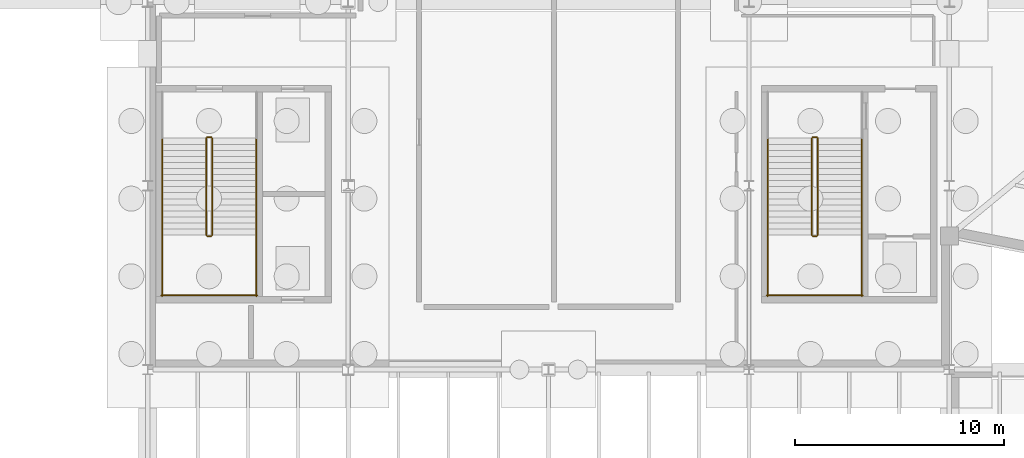
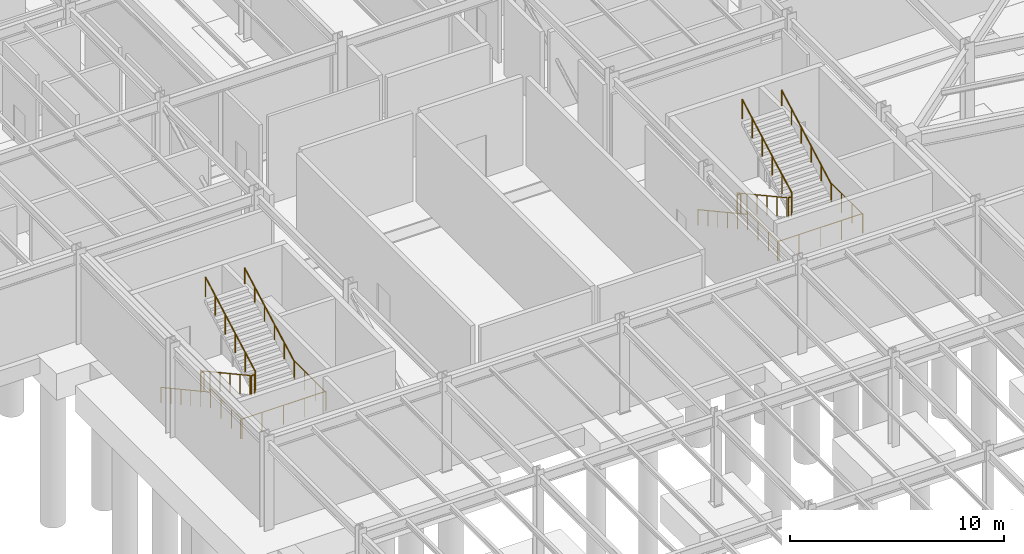
# One storey, part 42 of 48: 18 railings.
"""IFC4 building model written with IfcOpenShell, lengths in metres."""

from ifc_helpers import new_model, si_unit, direction, frame, origin, origin_2d, place, context, subcontext, project, spatial, circle, extrude, material, layer, layer_set, type_object, element, save


model = new_model("IFC4")

# Units and contexts
model_context = context("Model", 3, precision=1e-05, world=origin(), true_north=direction((0.0, 1.0)))
body_context = subcontext(model_context, "Body", "Model", "MODEL_VIEW")
ifc_project = project(units=[si_unit("LENGTHUNIT", "METRE"), si_unit("AREAUNIT", "SQUARE_METRE"), si_unit("VOLUMEUNIT", "CUBIC_METRE"), si_unit("PLANEANGLEUNIT", "RADIAN"), si_unit("MASSUNIT", "GRAM", prefix="KILO")], contexts=[model_context])

# Site, building, storey
site_placement = place(None, origin())
site = spatial("IfcSite", under=ifc_project, at=site_placement, CompositionType="ELEMENT")
building_placement = place(site_placement, origin())
building = spatial("IfcBuilding", under=site, at=building_placement, Name="Sarnbrook Museum", CompositionType="ELEMENT")
storey_placement = place(building_placement, frame((0.0, 0.0, -5.39990234375)))
storey = spatial("IfcBuildingStorey", under=building, at=storey_placement, Name="B1", CompositionType="ELEMENT", Elevation=-5.39990234375)

# Railings
ifc_material = material(Name="Brushed Stainless Steel Grade 316", Category="steel")
ifc_layer_1 = layer(ifc_material, 0.050048828125)
ifc_layer_set_1 = layer_set([ifc_layer_1], Name="Brushed Stainless Steel Grade 316")
railing_type_1 = type_object("IfcRailingType", Name="Guard_Int1120", PredefinedType="BALUSTRADE", material=ifc_layer_set_1)
railing_1_placement = place(storey_placement, frame((112.610107421875, 67.8798828125, 0.15869140625)))
element("IfcRailing", 1, at=railing_1_placement, inside=storey, type_object=railing_type_1, Name="B1 ST1 stair guard 1", PredefinedType="BALUSTRADE", context=body_context, shape_type="SweptSolid", body=[
    extrude(circle(Radius=0.02392578125, at=origin_2d()), frame((0.0, 0.0, 1.09619140625), z_axis=(0.0, -0.877067103421, 0.480367875796), x_axis=(1.0, 0.0, 0.0)), (0.0, 0.0, 1.0), 5.290283203125),
    extrude(circle(Radius=0.02099609375, at=origin_2d()), origin(), (0.0, 0.0, 1.0), 1.072021484375),
    extrude(circle(Radius=0.02099609375, at=origin_2d()), frame((0.0, -0.927978515625, 0.50830078125)), (0.0, 0.0, 1.0), 1.072021484375),
    extrude(circle(Radius=0.02099609375, at=origin_2d()), frame((0.0, -1.85595703125, 1.0166015625)), (0.0, 0.0, 1.0), 1.072021484375),
    extrude(circle(Radius=0.02099609375, at=origin_2d()), frame((0.0, -2.783935546875, 1.524658203125)), (0.0, 0.0, 1.0), 1.072021484375),
    extrude(circle(Radius=0.02099609375, at=origin_2d()), frame((0.0, -3.7119140625, 2.032958984375)), (0.0, 0.0, 1.0), 1.072021484375),
    extrude(circle(Radius=0.02099609375, at=origin_2d()), frame((0.0, -4.639892578125, 2.541259765625)), (0.0, 0.0, 1.0), 1.072021484375),
])
railing_2_placement = place(storey_placement, frame((112.659912109375, 63.18994140625, 2.699951171875)))
element("IfcRailing", 2, at=railing_2_placement, inside=storey, type_object=railing_type_1, Name="B1 ST1 stair guard 2", PredefinedType="BALUSTRADE", context=body_context, shape_type="SweptSolid", body=[
    extrude(circle(Radius=0.02392578125, at=origin_2d()), frame((0.0, 0.0, 1.09619140625), z_axis=(1.0, 0.0, 0.0), x_axis=(0.0, 1.0, 0.0)), (0.0, 0.0, 1.0), 0.18017578125),
    extrude(circle(Radius=0.02099609375, at=origin_2d()), origin(), (0.0, 0.0, 1.0), 1.072021484375),
    extrude(circle(Radius=0.02099609375, at=origin_2d()), frame((0.18017578125, 0.0, 0.0)), (0.0, 0.0, 1.0), 1.072021484375),
])
for number, where, name in (
    (3, (110.489990234375, 63.239990234375, 2.699951171875), "B1 ST1 stair guard 3"),
    (4, (115.010009765625, 63.239990234375, 2.699951171875), "B1 ST1 stair guard 4"),
):
    element("IfcRailing", number, at=place(storey_placement, frame(where)), inside=storey, type_object=railing_type_1, Name=name, PredefinedType="BALUSTRADE", context=body_context, shape_type="SweptSolid", body=[
        extrude(circle(Radius=0.02392578125, at=origin_2d()), frame((0.0, 0.0, 1.09619140625), z_axis=(0.0, -1.0, 0.0), x_axis=(1.0, 0.0, 0.0)), (0.0, 0.0, 1.0), 2.93994140625),
        extrude(circle(Radius=0.02099609375, at=origin_2d()), origin(), (0.0, 0.0, 1.0), 1.072021484375),
        extrude(circle(Radius=0.02099609375, at=origin_2d()), frame((0.0, -0.97998046875, 0.0)), (0.0, 0.0, 1.0), 1.072021484375),
        extrude(circle(Radius=0.02099609375, at=origin_2d()), frame((0.0, -1.9599609375, 0.0)), (0.0, 0.0, 1.0), 1.072021484375),
        extrude(circle(Radius=0.02099609375, at=origin_2d()), frame((0.0, -2.93994140625, 0.0)), (0.0, 0.0, 1.0), 1.072021484375),
    ])
railing_3_placement = place(storey_placement, frame((110.43994140625, 60.35009765625, 2.699951171875)))
element("IfcRailing", 5, at=railing_3_placement, inside=storey, type_object=railing_type_1, Name="B1 ST1 stair guard 5", PredefinedType="BALUSTRADE", context=body_context, shape_type="SweptSolid", body=[
    extrude(circle(Radius=0.02392578125, at=origin_2d()), frame((0.0, 0.0, 1.09619140625), z_axis=(1.0, 0.0, 0.0), x_axis=(0.0, 1.0, 0.0)), (0.0, 0.0, 1.0), 4.6201171875),
    extrude(circle(Radius=0.02099609375, at=origin_2d()), origin(), (0.0, 0.0, 1.0), 1.072021484375),
    extrude(circle(Radius=0.02099609375, at=origin_2d()), frame((1.155029296875, 0.0, 0.0)), (0.0, 0.0, 1.0), 1.072021484375),
    extrude(circle(Radius=0.02099609375, at=origin_2d()), frame((2.31005859375, 0.0, 0.0)), (0.0, 0.0, 1.0), 1.072021484375),
    extrude(circle(Radius=0.02099609375, at=origin_2d()), frame((3.465087890625, 0.0, 0.0)), (0.0, 0.0, 1.0), 1.072021484375),
    extrude(circle(Radius=0.02099609375, at=origin_2d()), frame((4.6201171875, 0.0, 0.0)), (0.0, 0.0, 1.0), 1.072021484375),
])
railing_4_placement = place(storey_placement, frame((112.889892578125, 63.239990234375, 2.858642578125)))
element("IfcRailing", 6, at=railing_4_placement, inside=storey, type_object=railing_type_1, Name="B1 ST1 stair guard 6", PredefinedType="BALUSTRADE", context=body_context, shape_type="SweptSolid", body=[
    extrude(circle(Radius=0.02392578125, at=origin_2d()), frame((0.0, 0.0, 1.09619140625), z_axis=(0.0, 0.877067103421, 0.480367875796), x_axis=(-1.0, 0.0, 0.0)), (0.0, 0.0, 1.0), 5.290283203125),
    extrude(circle(Radius=0.02099609375, at=origin_2d()), origin(), (0.0, 0.0, 1.0), 1.072021484375),
    extrude(circle(Radius=0.02099609375, at=origin_2d()), frame((0.0, 0.927978515625, 0.50830078125)), (0.0, 0.0, 1.0), 1.072021484375),
    extrude(circle(Radius=0.02099609375, at=origin_2d()), frame((0.0, 1.85595703125, 1.0166015625)), (0.0, 0.0, 1.0), 1.072021484375),
    extrude(circle(Radius=0.02099609375, at=origin_2d()), frame((0.0, 2.783935546875, 1.524658203125)), (0.0, 0.0, 1.0), 1.072021484375),
    extrude(circle(Radius=0.02099609375, at=origin_2d()), frame((0.0, 3.7119140625, 2.032958984375)), (0.0, 0.0, 1.0), 1.072021484375),
    extrude(circle(Radius=0.02099609375, at=origin_2d()), frame((0.0, 4.639892578125, 2.541259765625)), (0.0, 0.0, 1.0), 1.072021484375),
])
railing_5_placement = place(storey_placement, frame((112.659912109375, 67.929931640625, 0.0)))
element("IfcRailing", 7, at=railing_5_placement, inside=storey, type_object=railing_type_1, Name="B1 ST1 stair guard 7", PredefinedType="BALUSTRADE", context=body_context, shape_type="SweptSolid", body=[
    extrude(circle(Radius=0.02392578125, at=origin_2d()), frame((0.0, 0.0, 1.09619140625), z_axis=(1.0, 0.0, 0.0), x_axis=(0.0, 1.0, 0.0)), (0.0, 0.0, 1.0), 0.18017578125),
    extrude(circle(Radius=0.02099609375, at=origin_2d()), origin(), (0.0, 0.0, 1.0), 1.072021484375),
    extrude(circle(Radius=0.02099609375, at=origin_2d()), frame((0.18017578125, 0.0, 0.0)), (0.0, 0.0, 1.0), 1.072021484375),
])
railing_6_placement = place(storey_placement, frame((83.610107421875, 67.8798828125, 0.15869140625)))
element("IfcRailing", 8, at=railing_6_placement, inside=storey, type_object=railing_type_1, Name="B1 ST3 stair guard 1", PredefinedType="BALUSTRADE", context=body_context, shape_type="SweptSolid", body=[
    extrude(circle(Radius=0.02392578125, at=origin_2d()), frame((0.0, 0.0, 1.09619140625), z_axis=(0.0, -0.877067103421, 0.480367875796), x_axis=(1.0, 0.0, 0.0)), (0.0, 0.0, 1.0), 5.290283203125),
    extrude(circle(Radius=0.02099609375, at=origin_2d()), origin(), (0.0, 0.0, 1.0), 1.072021484375),
    extrude(circle(Radius=0.02099609375, at=origin_2d()), frame((0.0, -0.927978515625, 0.50830078125)), (0.0, 0.0, 1.0), 1.072021484375),
    extrude(circle(Radius=0.02099609375, at=origin_2d()), frame((0.0, -1.85595703125, 1.0166015625)), (0.0, 0.0, 1.0), 1.072021484375),
    extrude(circle(Radius=0.02099609375, at=origin_2d()), frame((0.0, -2.783935546875, 1.524658203125)), (0.0, 0.0, 1.0), 1.072021484375),
    extrude(circle(Radius=0.02099609375, at=origin_2d()), frame((0.0, -3.7119140625, 2.032958984375)), (0.0, 0.0, 1.0), 1.072021484375),
    extrude(circle(Radius=0.02099609375, at=origin_2d()), frame((0.0, -4.639892578125, 2.541259765625)), (0.0, 0.0, 1.0), 1.072021484375),
])
railing_7_placement = place(storey_placement, frame((83.659912109375, 63.18994140625, 2.699951171875)))
element("IfcRailing", 9, at=railing_7_placement, inside=storey, type_object=railing_type_1, Name="B1 ST3 stair guard 2", PredefinedType="BALUSTRADE", context=body_context, shape_type="SweptSolid", body=[
    extrude(circle(Radius=0.02392578125, at=origin_2d()), frame((0.0, 0.0, 1.09619140625), z_axis=(1.0, 0.0, 0.0), x_axis=(0.0, 1.0, 0.0)), (0.0, 0.0, 1.0), 0.18017578125),
    extrude(circle(Radius=0.02099609375, at=origin_2d()), origin(), (0.0, 0.0, 1.0), 1.072021484375),
    extrude(circle(Radius=0.02099609375, at=origin_2d()), frame((0.18017578125, 0.0, 0.0)), (0.0, 0.0, 1.0), 1.072021484375),
])
for number, where, name in (
    (10, (81.489990234375, 63.239990234375, 2.699951171875), "B1 ST3 stair guard 3"),
    (11, (86.010009765625, 63.239990234375, 2.699951171875), "B1 ST3 stair guard 4"),
):
    element("IfcRailing", number, at=place(storey_placement, frame(where)), inside=storey, type_object=railing_type_1, Name=name, PredefinedType="BALUSTRADE", context=body_context, shape_type="SweptSolid", body=[
        extrude(circle(Radius=0.02392578125, at=origin_2d()), frame((0.0, 0.0, 1.09619140625), z_axis=(0.0, -1.0, 0.0), x_axis=(1.0, 0.0, 0.0)), (0.0, 0.0, 1.0), 2.93994140625),
        extrude(circle(Radius=0.02099609375, at=origin_2d()), origin(), (0.0, 0.0, 1.0), 1.072021484375),
        extrude(circle(Radius=0.02099609375, at=origin_2d()), frame((0.0, -0.97998046875, 0.0)), (0.0, 0.0, 1.0), 1.072021484375),
        extrude(circle(Radius=0.02099609375, at=origin_2d()), frame((0.0, -1.9599609375, 0.0)), (0.0, 0.0, 1.0), 1.072021484375),
        extrude(circle(Radius=0.02099609375, at=origin_2d()), frame((0.0, -2.93994140625, 0.0)), (0.0, 0.0, 1.0), 1.072021484375),
    ])
railing_8_placement = place(storey_placement, frame((81.43994140625, 60.35009765625, 2.699951171875)))
element("IfcRailing", 12, at=railing_8_placement, inside=storey, type_object=railing_type_1, Name="B1 ST3 stair guard 5", PredefinedType="BALUSTRADE", context=body_context, shape_type="SweptSolid", body=[
    extrude(circle(Radius=0.02392578125, at=origin_2d()), frame((0.0, 0.0, 1.09619140625), z_axis=(1.0, 0.0, 0.0), x_axis=(0.0, 1.0, 0.0)), (0.0, 0.0, 1.0), 4.6201171875),
    extrude(circle(Radius=0.02099609375, at=origin_2d()), origin(), (0.0, 0.0, 1.0), 1.072021484375),
    extrude(circle(Radius=0.02099609375, at=origin_2d()), frame((1.155029296875, 0.0, 0.0)), (0.0, 0.0, 1.0), 1.072021484375),
    extrude(circle(Radius=0.02099609375, at=origin_2d()), frame((2.31005859375, 0.0, 0.0)), (0.0, 0.0, 1.0), 1.072021484375),
    extrude(circle(Radius=0.02099609375, at=origin_2d()), frame((3.465087890625, 0.0, 0.0)), (0.0, 0.0, 1.0), 1.072021484375),
    extrude(circle(Radius=0.02099609375, at=origin_2d()), frame((4.6201171875, 0.0, 0.0)), (0.0, 0.0, 1.0), 1.072021484375),
])
railing_9_placement = place(storey_placement, frame((83.889892578125, 63.239990234375, 2.858642578125)))
element("IfcRailing", 13, at=railing_9_placement, inside=storey, type_object=railing_type_1, Name="B1 ST3 stair guard 6", PredefinedType="BALUSTRADE", context=body_context, shape_type="SweptSolid", body=[
    extrude(circle(Radius=0.02392578125, at=origin_2d()), frame((0.0, 0.0, 1.09619140625), z_axis=(0.0, 0.877067103421, 0.480367875796), x_axis=(-1.0, 0.0, 0.0)), (0.0, 0.0, 1.0), 5.290283203125),
    extrude(circle(Radius=0.02099609375, at=origin_2d()), origin(), (0.0, 0.0, 1.0), 1.072021484375),
    extrude(circle(Radius=0.02099609375, at=origin_2d()), frame((0.0, 0.927978515625, 0.50830078125)), (0.0, 0.0, 1.0), 1.072021484375),
    extrude(circle(Radius=0.02099609375, at=origin_2d()), frame((0.0, 1.85595703125, 1.0166015625)), (0.0, 0.0, 1.0), 1.072021484375),
    extrude(circle(Radius=0.02099609375, at=origin_2d()), frame((0.0, 2.783935546875, 1.524658203125)), (0.0, 0.0, 1.0), 1.072021484375),
    extrude(circle(Radius=0.02099609375, at=origin_2d()), frame((0.0, 3.7119140625, 2.032958984375)), (0.0, 0.0, 1.0), 1.072021484375),
    extrude(circle(Radius=0.02099609375, at=origin_2d()), frame((0.0, 4.639892578125, 2.541259765625)), (0.0, 0.0, 1.0), 1.072021484375),
])
railing_10_placement = place(storey_placement, frame((83.659912109375, 67.929931640625, 0.0)))
element("IfcRailing", 14, at=railing_10_placement, inside=storey, type_object=railing_type_1, Name="B1 ST3 stair guard 7", PredefinedType="BALUSTRADE", context=body_context, shape_type="SweptSolid", body=[
    extrude(circle(Radius=0.02392578125, at=origin_2d()), frame((0.0, 0.0, 1.09619140625), z_axis=(1.0, 0.0, 0.0), x_axis=(0.0, 1.0, 0.0)), (0.0, 0.0, 1.0), 0.18017578125),
    extrude(circle(Radius=0.02099609375, at=origin_2d()), origin(), (0.0, 0.0, 1.0), 1.072021484375),
    extrude(circle(Radius=0.02099609375, at=origin_2d()), frame((0.18017578125, 0.0, 0.0)), (0.0, 0.0, 1.0), 1.072021484375),
])
ifc_layer_2 = layer(ifc_material, 0.048095703125)
ifc_layer_set_2 = layer_set([ifc_layer_2], Name="Brushed Stainless Steel Grade 316")
railing_type_2 = type_object("IfcRailingType", Name="Handrail_920", PredefinedType="HANDRAIL", material=ifc_layer_set_2)
railing_11_placement = place(storey_placement, frame((110.489990234375, 67.8798828125, 0.15869140625)))
element("IfcRailing", 15, at=railing_11_placement, inside=storey, type_object=railing_type_2, Name="B1 ST1 stair handrail 1", PredefinedType="HANDRAIL", context=body_context, shape_type="SweptSolid", body=[
    extrude(circle(Radius=0.02392578125, at=origin_2d()), frame((0.0, 0.0, 0.8857421875), z_axis=(0.0, -0.877067103421, 0.480367875796), x_axis=(1.0, 0.0, 0.0)), (0.0, 0.0, 1.0), 5.290283203125),
    extrude(circle(Radius=0.02099609375, at=origin_2d()), origin(), (0.0, 0.0, 1.0), 0.86181640625),
    extrude(circle(Radius=0.02099609375, at=origin_2d()), frame((0.0, -0.927978515625, 0.50830078125)), (0.0, 0.0, 1.0), 0.86181640625),
    extrude(circle(Radius=0.02099609375, at=origin_2d()), frame((0.0, -1.85595703125, 1.0166015625)), (0.0, 0.0, 1.0), 0.86181640625),
    extrude(circle(Radius=0.02099609375, at=origin_2d()), frame((0.0, -2.783935546875, 1.524658203125)), (0.0, 0.0, 1.0), 0.86181640625),
    extrude(circle(Radius=0.02099609375, at=origin_2d()), frame((0.0, -3.7119140625, 2.032958984375)), (0.0, 0.0, 1.0), 0.86181640625),
    extrude(circle(Radius=0.02099609375, at=origin_2d()), frame((0.0, -4.639892578125, 2.541259765625)), (0.0, 0.0, 1.0), 0.86181640625),
])
railing_12_placement = place(storey_placement, frame((115.010009765625, 63.239990234375, 2.858642578125)))
element("IfcRailing", 16, at=railing_12_placement, inside=storey, type_object=railing_type_2, Name="B1 ST1 stair handrail 2", PredefinedType="HANDRAIL", context=body_context, shape_type="SweptSolid", body=[
    extrude(circle(Radius=0.02392578125, at=origin_2d()), frame((0.0, 0.0, 0.8857421875), z_axis=(0.0, 0.877067103421, 0.480367875796), x_axis=(-1.0, 0.0, 0.0)), (0.0, 0.0, 1.0), 5.290283203125),
    extrude(circle(Radius=0.02099609375, at=origin_2d()), origin(), (0.0, 0.0, 1.0), 0.86181640625),
    extrude(circle(Radius=0.02099609375, at=origin_2d()), frame((0.0, 0.927978515625, 0.50830078125)), (0.0, 0.0, 1.0), 0.86181640625),
    extrude(circle(Radius=0.02099609375, at=origin_2d()), frame((0.0, 1.85595703125, 1.0166015625)), (0.0, 0.0, 1.0), 0.86181640625),
    extrude(circle(Radius=0.02099609375, at=origin_2d()), frame((0.0, 2.783935546875, 1.524658203125)), (0.0, 0.0, 1.0), 0.86181640625),
    extrude(circle(Radius=0.02099609375, at=origin_2d()), frame((0.0, 3.7119140625, 2.032958984375)), (0.0, 0.0, 1.0), 0.86181640625),
    extrude(circle(Radius=0.02099609375, at=origin_2d()), frame((0.0, 4.639892578125, 2.541259765625)), (0.0, 0.0, 1.0), 0.86181640625),
])
railing_13_placement = place(storey_placement, frame((81.489990234375, 67.8798828125, 0.15869140625)))
element("IfcRailing", 17, at=railing_13_placement, inside=storey, type_object=railing_type_2, Name="B1 ST3 stair handrail 1", PredefinedType="HANDRAIL", context=body_context, shape_type="SweptSolid", body=[
    extrude(circle(Radius=0.02392578125, at=origin_2d()), frame((0.0, 0.0, 0.8857421875), z_axis=(0.0, -0.877067103421, 0.480367875796), x_axis=(1.0, 0.0, 0.0)), (0.0, 0.0, 1.0), 5.290283203125),
    extrude(circle(Radius=0.02099609375, at=origin_2d()), origin(), (0.0, 0.0, 1.0), 0.86181640625),
    extrude(circle(Radius=0.02099609375, at=origin_2d()), frame((0.0, -0.927978515625, 0.50830078125)), (0.0, 0.0, 1.0), 0.86181640625),
    extrude(circle(Radius=0.02099609375, at=origin_2d()), frame((0.0, -1.85595703125, 1.0166015625)), (0.0, 0.0, 1.0), 0.86181640625),
    extrude(circle(Radius=0.02099609375, at=origin_2d()), frame((0.0, -2.783935546875, 1.524658203125)), (0.0, 0.0, 1.0), 0.86181640625),
    extrude(circle(Radius=0.02099609375, at=origin_2d()), frame((0.0, -3.7119140625, 2.032958984375)), (0.0, 0.0, 1.0), 0.86181640625),
    extrude(circle(Radius=0.02099609375, at=origin_2d()), frame((0.0, -4.639892578125, 2.541259765625)), (0.0, 0.0, 1.0), 0.86181640625),
])
railing_14_placement = place(storey_placement, frame((86.010009765625, 63.239990234375, 2.858642578125)))
element("IfcRailing", 18, at=railing_14_placement, inside=storey, type_object=railing_type_2, Name="B1 ST3 stair handrail 2", PredefinedType="HANDRAIL", context=body_context, shape_type="SweptSolid", body=[
    extrude(circle(Radius=0.02392578125, at=origin_2d()), frame((0.0, 0.0, 0.8857421875), z_axis=(0.0, 0.877067103421, 0.480367875796), x_axis=(-1.0, 0.0, 0.0)), (0.0, 0.0, 1.0), 5.290283203125),
    extrude(circle(Radius=0.02099609375, at=origin_2d()), origin(), (0.0, 0.0, 1.0), 0.86181640625),
    extrude(circle(Radius=0.02099609375, at=origin_2d()), frame((0.0, 0.927978515625, 0.50830078125)), (0.0, 0.0, 1.0), 0.86181640625),
    extrude(circle(Radius=0.02099609375, at=origin_2d()), frame((0.0, 1.85595703125, 1.0166015625)), (0.0, 0.0, 1.0), 0.86181640625),
    extrude(circle(Radius=0.02099609375, at=origin_2d()), frame((0.0, 2.783935546875, 1.524658203125)), (0.0, 0.0, 1.0), 0.86181640625),
    extrude(circle(Radius=0.02099609375, at=origin_2d()), frame((0.0, 3.7119140625, 2.032958984375)), (0.0, 0.0, 1.0), 0.86181640625),
    extrude(circle(Radius=0.02099609375, at=origin_2d()), frame((0.0, 4.639892578125, 2.541259765625)), (0.0, 0.0, 1.0), 0.86181640625),
])

save(model, "model.ifc")
